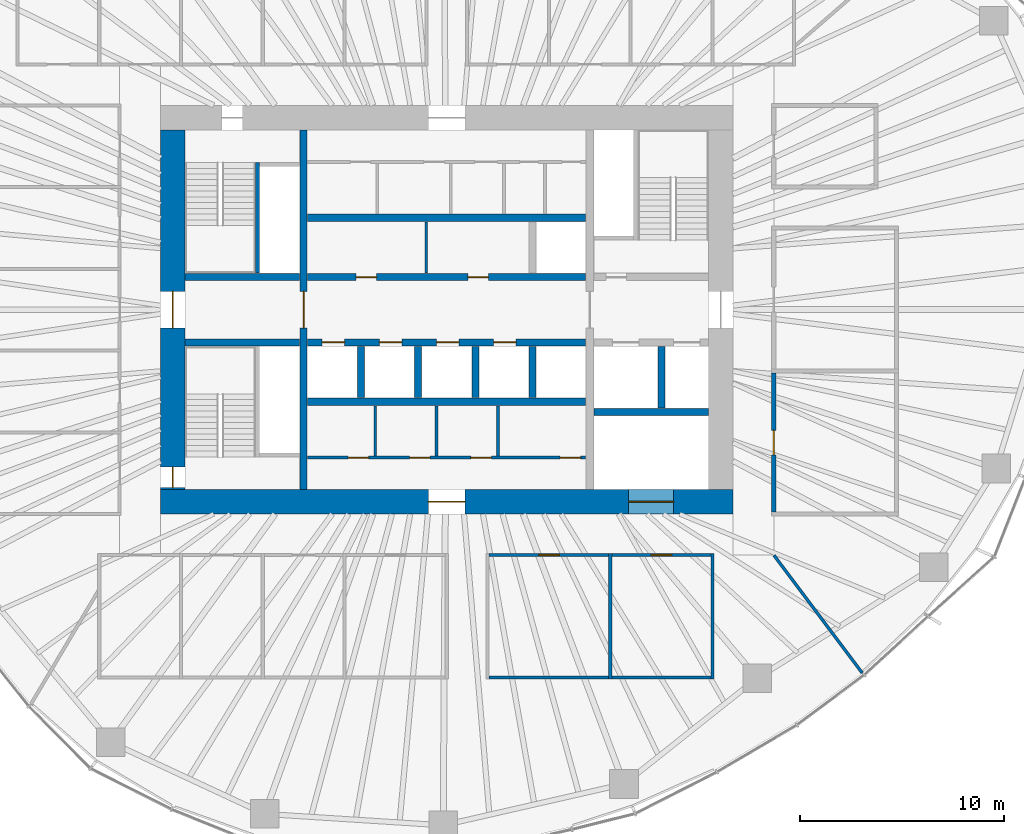
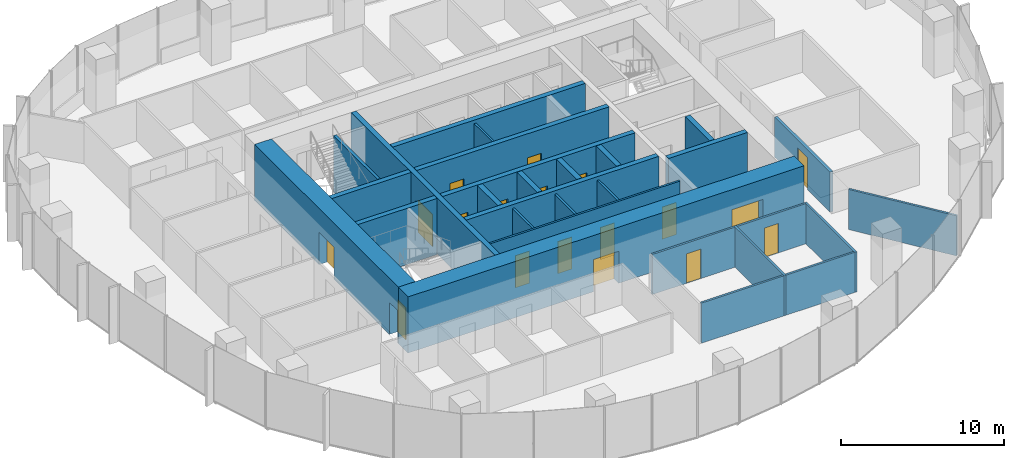
# One storey, part 9 of 18: 29 walls, 18 doors, 18 openings.
"""IFC4 building model written with IfcOpenShell, lengths in metres."""

import ifcopenshell
import ifcopenshell.guid

model = None  # the IFC model being written
_history = None  # IfcOwnerHistory: only IFC2X3 demands one
_inside = {}  # id of a spatial element -> (the spatial element, [elements in it])
_under = {}  # id of a project, library or spatial element -> (it, [spatial elements below it])
_declared = {}  # id of a project -> (the project, [libraries it declares])
_typed = {}  # id of a type object -> (the type object, [elements of that type])
_made_of = {}  # id of a material, layer set ... -> (it, [elements and type objects made of it])


def new_model(schema):
    """Start an empty IFC model of exactly this schema.

    Asked for "IFC4X3", IfcOpenShell would pick the latest addendum, in which some entities
    have other attributes; the version numbers below select the first issue.
    IFC2X3 requires an IfcOwnerHistory on every rooted entity: one is made here for all.
    """
    global model, _history
    if schema == "IFC4X3":
        model = ifcopenshell.file(schema_version=(4, 3, 0, 0))
    else:
        model = ifcopenshell.file(schema=schema)
    _inside.clear()
    _under.clear()
    _declared.clear()
    _typed.clear()
    _made_of.clear()
    _history = None
    if model.schema == "IFC2X3":
        org = make("IfcOrganization", Name="unknown")
        user = make(
            "IfcPersonAndOrganization",
            ThePerson=make("IfcPerson", FamilyName="unknown"),
            TheOrganization=org,
        )
        app = make(
            "IfcApplication",
            ApplicationDeveloper=org,
            Version="unknown",
            ApplicationFullName="unknown",
            ApplicationIdentifier="unknown",
        )
        _history = make(
            "IfcOwnerHistory",
            OwningUser=user,
            OwningApplication=app,
            ChangeAction="ADDED",
            CreationDate=0,
        )
    return model


def make(cls, **values):
    """One entity of the class cls with the attributes given. An attribute that is None is left unset."""
    return model.create_entity(
        cls, **{name: value for name, value in values.items() if value is not None}
    )


def rooted(cls, **values):
    """An entity with a GlobalId (a new one), such as an element, a storey or a relation."""
    return make(cls, GlobalId=ifcopenshell.guid.new(), OwnerHistory=_history, **values)


def si_unit(unit_type, name, prefix=None):
    """IfcSIUnit, for example si_unit("LENGTHUNIT", "METRE", prefix="MILLI")."""
    return make("IfcSIUnit", UnitType=unit_type, Prefix=prefix, Name=name)


def assignment(units):
    """IfcUnitAssignment: the units of a project."""
    return None if units is None else make("IfcUnitAssignment", Units=units)


def point(xyz):
    """IfcCartesianPoint."""
    return None if xyz is None else make("IfcCartesianPoint", Coordinates=xyz)


def direction(xyz):
    """IfcDirection."""
    return None if xyz is None else make("IfcDirection", DirectionRatios=xyz)


def frame(location, z_axis=None, x_axis=None):
    """IfcAxis2Placement3D, a coordinate frame: its origin and axes. An axis left out is left unset."""
    return make(
        "IfcAxis2Placement3D",
        Location=point(location),
        Axis=direction(z_axis),
        RefDirection=direction(x_axis),
    )


def frame_2d(location, x_axis=None):
    """IfcAxis2Placement2D, a coordinate frame in the plane: its origin and x axis."""
    return make(
        "IfcAxis2Placement2D", Location=point(location), RefDirection=direction(x_axis)
    )


def origin():
    """The frame at (0, 0, 0) with its axes left unset."""
    return frame((0.0, 0.0, 0.0))


def place(relative_to, where):
    """IfcLocalPlacement: puts the frame where relative to a parent placement (None: the world)."""
    return make(
        "IfcLocalPlacement", PlacementRelTo=relative_to, RelativePlacement=where
    )


def context(
    kind, dimensions, precision=None, world=None, true_north=None, identifier=None
):
    """IfcGeometricRepresentationContext, for example the 3D "Model" context."""
    return make(
        "IfcGeometricRepresentationContext",
        ContextIdentifier=identifier,
        ContextType=kind,
        CoordinateSpaceDimension=dimensions,
        Precision=precision,
        WorldCoordinateSystem=world,
        TrueNorth=true_north,
    )


def subcontext(parent, identifier, kind, view, scale=None):
    """IfcGeometricRepresentationSubContext, for example "Body" below "Model"."""
    return make(
        "IfcGeometricRepresentationSubContext",
        ContextIdentifier=identifier,
        ContextType=kind,
        ParentContext=parent,
        TargetScale=scale,
        TargetView=view,
    )


def project(units=None, contexts=None):
    """IfcProject with its units and contexts."""
    return rooted(
        "IfcProject",
        Name="project",
        RepresentationContexts=contexts,
        UnitsInContext=assignment(units),
    )


def spatial(cls, under=None, at=None, **own):
    """A site, building, storey or space (cls), placed at a placement, below another one or the project."""
    s = rooted(cls, ObjectPlacement=at, **own)
    if under is not None:
        _under.setdefault(under.id(), (under, []))[1].append(s)
    return s


def profile(cls, at=None, kind="AREA", **sizes):
    """A parametric profile (cls). Its sizes go by their IFC names, for example OverallWidth=200.0."""
    return make(cls, ProfileType=kind, Position=at, **sizes)


def rectangle(**sizes):
    """IfcRectangleProfileDef."""
    return profile("IfcRectangleProfileDef", **sizes)


def extrude(swept, where, along, depth):
    """IfcExtrudedAreaSolid: the profile swept, set in the frame where, extruded along a direction by depth."""
    return make(
        "IfcExtrudedAreaSolid",
        SweptArea=swept,
        Position=where,
        ExtrudedDirection=direction(along),
        Depth=depth,
    )


def shape(context_of_items, identifier, shape_type, items):
    """IfcShapeRepresentation: the items that make up one representation, for example the "Body"."""
    return make(
        "IfcShapeRepresentation",
        ContextOfItems=context_of_items,
        RepresentationIdentifier=identifier,
        RepresentationType=shape_type,
        Items=items,
    )


def material(Name=None, Category=None):
    """IfcMaterial."""
    return make("IfcMaterial", Name=Name, Category=Category)


def layer(
    of_material, thickness, ventilated=None, Name=None, Category=None, Priority=None
):
    """IfcMaterialLayer: one layer of a wall or slab, of a material (None: an air gap)."""
    return make(
        "IfcMaterialLayer",
        Material=of_material,
        LayerThickness=thickness,
        IsVentilated=ventilated,
        Name=Name,
        Category=Category,
        Priority=Priority,
    )


def layer_set(layers, Name=None):
    """IfcMaterialLayerSet."""
    return make("IfcMaterialLayerSet", MaterialLayers=layers, LayerSetName=Name)


def made_of(thing, what):
    """Note that an element or type object is made of a material, layer set ...; save() writes the relation."""
    if what is not None:
        _made_of.setdefault(what.id(), (what, []))[1].append(thing)
    return thing


def type_object(cls, material=None, **own):
    """A type object (cls), such as IfcWallType, which elements share."""
    return made_of(rooted(cls, **own), material)


def element(
    cls,
    number,
    at=None,
    inside=None,
    cuts=None,
    type_object=None,
    material=None,
    context=None,
    identifier="Body",
    shape_type=None,
    held_by="IfcProductDefinitionShape",
    body=None,
    shapes=None,
    **own,
):
    """One element of the class cls, such as IfcWall. Its Tag is "e" and its number.

    at: its placement. inside: the storey or other place that contains it. cuts: it is an
    opening in that element (IfcRelVoidsElement). A single representation is given by context,
    identifier, shape_type and body (its items); several are given by shapes. held_by: the class
    of the entity that holds the representations. save() writes the other relations.
    """
    e = rooted(cls, Tag="e%d" % number, ObjectPlacement=at, **own)
    if body is not None:
        shapes = [shape(context, identifier, shape_type, body)]
    if shapes is not None:
        e.Representation = make(held_by, Representations=shapes)
    if inside is not None:
        _inside.setdefault(inside.id(), (inside, []))[1].append(e)
    if cuts is not None:
        rooted(
            "IfcRelVoidsElement", RelatingBuildingElement=cuts, RelatedOpeningElement=e
        )
    if type_object is not None:
        _typed.setdefault(type_object.id(), (type_object, []))[1].append(e)
    return made_of(e, material)


def fill(opening, filler):
    """IfcRelFillsElement: the door or window that sits in an opening."""
    return rooted(
        "IfcRelFillsElement",
        RelatingOpeningElement=opening,
        RelatedBuildingElement=filler,
    )


def aggregate(whole, parts):
    """IfcRelAggregates: a whole, such as a stair, and the parts it consists of."""
    return rooted("IfcRelAggregates", RelatingObject=whole, RelatedObjects=parts)


def save(model, path):
    """Write the relations noted so far, then the file.

    IfcRelAggregates (storeys below a building ...), IfcRelContainedInSpatialStructure (elements
    in a storey), IfcRelDefinesByType, IfcRelAssociatesMaterial and IfcRelDeclares: one each for
    every whole, place, type object, material and project.
    """
    for whole, parts in _under.values():
        aggregate(whole, parts)
    for where, things in _inside.values():
        rooted(
            "IfcRelContainedInSpatialStructure",
            RelatedElements=things,
            RelatingStructure=where,
        )
    for kind, things in _typed.values():
        rooted("IfcRelDefinesByType", RelatedObjects=things, RelatingType=kind)
    for what, things in _made_of.values():
        rooted("IfcRelAssociatesMaterial", RelatedObjects=things, RelatingMaterial=what)
    for by, libraries in _declared.values():
        rooted("IfcRelDeclares", RelatingContext=by, RelatedDefinitions=libraries)
    model.write(path)


model = new_model("IFC4")

# Units and contexts
model_context = context("Model", 3, precision=1e-05, world=origin(), true_north=direction((0.0, 1.0)))
body_context = subcontext(model_context, "Body", "Model", "MODEL_VIEW")
ifc_project = project(units=[si_unit("LENGTHUNIT", "METRE"), si_unit("AREAUNIT", "SQUARE_METRE"), si_unit("VOLUMEUNIT", "CUBIC_METRE"), si_unit("PLANEANGLEUNIT", "RADIAN"), si_unit("MASSUNIT", "GRAM", prefix="KILO")], contexts=[model_context])

# Site, building, storey
site_placement = place(None, origin())
site = spatial("IfcSite", under=ifc_project, at=site_placement, CompositionType="ELEMENT")
building_placement = place(site_placement, origin())
building = spatial("IfcBuilding", under=site, at=building_placement, Name="Ghaith Harvest Tower", CompositionType="ELEMENT")
storey_placement = place(building_placement, frame((0.0, 0.0, 168.0)))
storey = spatial("IfcBuildingStorey", under=building, at=storey_placement, Name="L36", CompositionType="ELEMENT", Elevation=168.0)

# Wall, opening, door
ifc_material_1 = material(Name="Twin-stud gypsum board, acoustic", Category="gypsum")
ifc_layer_1 = layer(ifc_material_1, 0.199951171875)
ifc_layer_set_1 = layer_set([ifc_layer_1], Name="ACOUSTIC PARTITION 200")
wall_type_1 = type_object("IfcWallType", Name="ACOUSTIC PARTITION 200", PredefinedType="PARTITIONING", material=ifc_layer_set_1)
wall_1_placement = place(storey_placement, frame((16.0, -9.89990234375, 0.0), z_axis=(0.0, 0.0, 1.0), x_axis=(0.0, 1.0, 0.0)))
wall_1 = element("IfcWall", 1, at=wall_1_placement, inside=storey, type_object=wall_type_1, Name="Partition L36-10", PredefinedType="PARTITIONING", context=body_context, shape_type="SweptSolid", body=[
    extrude(rectangle(XDim=6.7998046875, YDim=0.199951171875, at=frame_2d((3.39990234375, 0.0))), origin(), (0.0, 0.0, 1.0), 3.0),
])
opening_1_placement = place(wall_1_placement, frame((2.800048828125, 0.0, 0.0)))
opening_1 = element("IfcOpeningElement", 2, at=opening_1_placement, cuts=wall_1, Name="Opening 36-037", PredefinedType="OPENING", context=body_context, shape_type="SweptSolid", body=[
    extrude(rectangle(XDim=1.199951171875, YDim=2.39990234375, at=frame_2d((0.60009765625, 1.199951171875))), frame((0.0, 0.10986328125, 0.0), z_axis=(0.0, -1.0, 0.0), x_axis=(1.0, 0.0, 0.0)), (0.0, 0.0, 1.0), 0.219970703125),
])
ifc_material_2 = material(Name="Timber door", Category="wood")
door_type_1 = type_object("IfcDoorType", Name="D11 GLAZED 1200x2400", OperationType="SINGLE_SWING_LEFT", PredefinedType="DOOR", material=ifc_material_2)
door_1_placement = place(opening_1_placement, origin())
door_1 = element("IfcDoor", 3, at=door_1_placement, inside=storey, type_object=door_type_1, Name="Meeting room door", OperationType="SINGLE_SWING_LEFT", OverallHeight=2.39990234375, OverallWidth=1.199951171875, PredefinedType="DOOR", context=body_context, shape_type="SweptSolid", body=[
    extrude(rectangle(XDim=1.199951171875, YDim=2.39990234375, at=frame_2d((0.60009765625, 1.199951171875))), frame((0.0, 0.02490234375, 0.0), z_axis=(0.0, -1.0, 0.0), x_axis=(1.0, 0.0, 0.0)), (0.0, 0.0, 1.0), 0.050048828125),
])
fill(opening_1, door_1)

# Wall, openings, doors
ifc_material_3 = material(Name="Concrete blockwork, fair-faced", Category="masonry")
ifc_layer_2 = layer(ifc_material_3, 0.139892578125)
ifc_layer_set_2 = layer_set([ifc_layer_2], Name="CORE PARTITION 140")
wall_type_2 = type_object("IfcWallType", Name="CORE PARTITION 140", PredefinedType="PARTITIONING", material=ifc_layer_set_2)
wall_2_placement = place(storey_placement, frame((-6.800048828125, -7.22998046875, 0.0), z_axis=(0.0, 0.0, 1.0), x_axis=(1.0, 0.0, 0.0)))
wall_2 = element("IfcWall", 4, at=wall_2_placement, inside=storey, type_object=wall_type_2, Name="Core partition L36", PredefinedType="PARTITIONING", context=body_context, shape_type="SweptSolid", body=[
    extrude(rectangle(XDim=13.60009765625, YDim=0.139892578125, at=frame_2d((6.800048828125, 0.0))), origin(), (0.0, 0.0, 1.0), 3.949951171875),
])
opening_2_placement = place(wall_2_placement, frame((1.97998046875, 0.0, 0.0)))
opening_2 = element("IfcOpeningElement", 5, at=opening_2_placement, cuts=wall_2, Name="Opening 36-013", PredefinedType="OPENING", context=body_context, shape_type="SweptSolid", body=[
    extrude(rectangle(XDim=1.0, YDim=2.39990234375, at=frame_2d((0.5, 1.199951171875))), frame((0.0, 0.080078125, 0.0), z_axis=(0.0, -1.0, 0.0), x_axis=(1.0, 0.0, 0.0)), (0.0, 0.0, 1.0), 0.159912109375),
])
opening_3_placement = place(wall_2_placement, frame((4.97998046875, 0.0, 0.0)))
opening_3 = element("IfcOpeningElement", 6, at=opening_3_placement, cuts=wall_2, Name="Opening 36-014", PredefinedType="OPENING", context=body_context, shape_type="SweptSolid", body=[
    extrude(rectangle(XDim=1.0, YDim=2.39990234375, at=frame_2d((0.5, 1.199951171875))), frame((0.0, 0.080078125, 0.0), z_axis=(0.0, -1.0, 0.0), x_axis=(1.0, 0.0, 0.0)), (0.0, 0.0, 1.0), 0.159912109375),
])
opening_4_placement = place(wall_2_placement, frame((7.97998046875, 0.0, 0.0)))
opening_4 = element("IfcOpeningElement", 7, at=opening_4_placement, cuts=wall_2, Name="Opening 36-015", PredefinedType="OPENING", context=body_context, shape_type="SweptSolid", body=[
    extrude(rectangle(XDim=1.0, YDim=2.39990234375, at=frame_2d((0.5, 1.199951171875))), frame((0.0, 0.080078125, 0.0), z_axis=(0.0, -1.0, 0.0), x_axis=(1.0, 0.0, 0.0)), (0.0, 0.0, 1.0), 0.159912109375),
])
opening_5_placement = place(wall_2_placement, frame((12.35009765625, 0.0, 0.0)))
opening_5 = element("IfcOpeningElement", 8, at=opening_5_placement, cuts=wall_2, Name="Opening 36-016", PredefinedType="OPENING", context=body_context, shape_type="SweptSolid", body=[
    extrude(rectangle(XDim=1.0, YDim=2.39990234375, at=frame_2d((0.5, 1.199951171875))), frame((0.0, 0.080078125, 0.0), z_axis=(0.0, -1.0, 0.0), x_axis=(1.0, 0.0, 0.0)), (0.0, 0.0, 1.0), 0.159912109375),
])
ifc_material_4 = material(Name="Steel fire door", Category="steel")
door_type_2 = type_object("IfcDoorType", Name="D3 FD90 1000x2400", OperationType="SINGLE_SWING_LEFT", PredefinedType="DOOR", material=ifc_material_4)
door_2_placement = place(opening_2_placement, origin())
door_2 = element("IfcDoor", 9, at=door_2_placement, inside=storey, type_object=door_type_2, Name="Electrical room door", OperationType="SINGLE_SWING_LEFT", OverallHeight=2.39990234375, OverallWidth=1.0, PredefinedType="DOOR", context=body_context, shape_type="SweptSolid", body=[
    extrude(rectangle(XDim=1.0, YDim=2.39990234375, at=frame_2d((0.5, 1.199951171875))), frame((0.0, 0.02490234375, 0.0), z_axis=(0.0, -1.0, 0.0), x_axis=(1.0, 0.0, 0.0)), (0.0, 0.0, 1.0), 0.050048828125),
])
fill(opening_2, door_2)
door_3_placement = place(opening_3_placement, origin())
door_3 = element("IfcDoor", 10, at=door_3_placement, inside=storey, type_object=door_type_2, Name="IT equipment room door", OperationType="SINGLE_SWING_LEFT", OverallHeight=2.39990234375, OverallWidth=1.0, PredefinedType="DOOR", context=body_context, shape_type="SweptSolid", body=[
    extrude(rectangle(XDim=1.0, YDim=2.39990234375, at=frame_2d((0.5, 1.199951171875))), frame((0.0, 0.02490234375, 0.0), z_axis=(0.0, -1.0, 0.0), x_axis=(1.0, 0.0, 0.0)), (0.0, 0.0, 1.0), 0.050048828125),
])
fill(opening_3, door_3)
door_4_placement = place(opening_4_placement, origin())
door_4 = element("IfcDoor", 11, at=door_4_placement, inside=storey, type_object=door_type_2, Name="Tea point door", OperationType="SINGLE_SWING_RIGHT", OverallHeight=2.39990234375, OverallWidth=1.0, PredefinedType="DOOR", context=body_context, shape_type="SweptSolid", body=[
    extrude(rectangle(XDim=1.0, YDim=2.39990234375, at=frame_2d((0.5, 1.199951171875))), frame((0.0, 0.02490234375, 0.0), z_axis=(0.0, -1.0, 0.0), x_axis=(1.0, 0.0, 0.0)), (0.0, 0.0, 1.0), 0.050048828125),
])
fill(opening_4, door_4)
door_5_placement = place(opening_5_placement, origin())
door_5 = element("IfcDoor", 12, at=door_5_placement, inside=storey, type_object=door_type_2, Name="Riser room door", OperationType="SINGLE_SWING_RIGHT", OverallHeight=2.39990234375, OverallWidth=1.0, PredefinedType="DOOR", context=body_context, shape_type="SweptSolid", body=[
    extrude(rectangle(XDim=1.0, YDim=2.39990234375, at=frame_2d((0.5, 1.199951171875))), frame((0.0, 0.02490234375, 0.0), z_axis=(0.0, -1.0, 0.0), x_axis=(1.0, 0.0, 0.0)), (0.0, 0.0, 1.0), 0.050048828125),
])
fill(opening_5, door_5)

# Walls
for number, where, z_axis, x_axis, name in (
    (13, (-3.5, -4.699951171875, 0.0), (0.0, 0.0, 1.0), (0.0, -1.0, 0.0), "Core partition L36"),
    (14, (-0.5, -4.699951171875, 0.0), (0.0, 0.0, 1.0), (0.0, -1.0, 0.0), "Core partition L36"),
    (15, (2.5, -4.699951171875, 0.0), (0.0, 0.0, 1.0), (0.0, -1.0, 0.0), "Core partition L36"),
):
    element("IfcWall", number, at=place(storey_placement, frame(where, z_axis=z_axis, x_axis=x_axis)), inside=storey, type_object=wall_type_2, Name=name, PredefinedType="PARTITIONING", context=body_context, shape_type="SweptSolid", body=[
        extrude(rectangle(XDim=2.4599609375, YDim=0.139892578125, at=frame_2d((1.22998046875, 0.0))), origin(), (0.0, 0.0, 1.0), 3.949951171875),
    ])
wall_3_placement = place(storey_placement, frame((-1.0, 1.800048828125, 0.0), z_axis=(0.0, 0.0, 1.0), x_axis=(0.0, 1.0, 0.0)))
element("IfcWall", 16, at=wall_3_placement, inside=storey, type_object=wall_type_2, Name="Core partition L36", PredefinedType="PARTITIONING", context=body_context, shape_type="SweptSolid", body=[
    extrude(rectangle(XDim=2.5, YDim=0.139892578125, at=frame_2d((1.25, 0.0))), origin(), (0.0, 0.0, 1.0), 3.949951171875),
])

# Wall, openings, doors
ifc_material_5 = material(Name="Concrete C60/75", Category="concrete")
ifc_layer_3 = layer(ifc_material_5, 1.199951171875)
ifc_layer_set_3 = layer_set([ifc_layer_3], Name="CORE WALL CW1200 C60")
wall_type_3 = type_object("IfcWallType", Name="CORE WALL CW1200 C60", PredefinedType="SHEAR", material=ifc_layer_set_3)
wall_4_placement = place(storey_placement, frame((-14.0, -9.39990234375, 0.0), z_axis=(0.0, 0.0, 1.0), x_axis=(1.0, 0.0, 0.0)))
wall_4 = element("IfcWall", 17, at=wall_4_placement, inside=storey, type_object=wall_type_3, Name="Core wall S L36", PredefinedType="SHEAR", context=body_context, shape_type="SweptSolid", body=[
    extrude(rectangle(XDim=28.0, YDim=1.199951171875, at=frame_2d((14.0, 0.0))), origin(), (0.0, 0.0, 1.0), 4.199951171875),
])
opening_6_placement = place(wall_4_placement, frame((13.10009765625, 0.0, 0.0)))
opening_6 = element("IfcOpeningElement", 18, at=opening_6_placement, cuts=wall_4, Name="Opening 36-020", PredefinedType="OPENING", context=body_context, shape_type="SweptSolid", body=[
    extrude(rectangle(XDim=1.800048828125, YDim=2.39990234375, at=frame_2d((0.89990234375, 1.199951171875))), frame((0.0, 0.60986328125, 0.0), z_axis=(0.0, -1.0, 0.0), x_axis=(1.0, 0.0, 0.0)), (0.0, 0.0, 1.0), 1.219970703125),
])
opening_7_placement = place(wall_4_placement, frame((22.89990234375, 0.0, 0.0)))
opening_7 = element("IfcOpeningElement", 19, at=opening_7_placement, cuts=wall_4, Name="Opening 36-027", PredefinedType="OPENING", context=body_context, shape_type="SweptSolid", body=[
    extrude(rectangle(XDim=2.199951171875, YDim=2.699951171875, at=frame_2d((1.10009765625, 1.35009765625))), frame((0.0, 0.60986328125, 0.0), z_axis=(0.0, -1.0, 0.0), x_axis=(1.0, 0.0, 0.0)), (0.0, 0.0, 1.0), 1.219970703125),
])
ifc_material_6 = material(Name="Steel fire door", Category="steel")
door_type_3 = type_object("IfcDoorType", Name="D4 FD90 PAIR 1800x2400", OperationType="DOUBLE_DOOR_SINGLE_SWING", PredefinedType="DOOR", material=ifc_material_6)
door_6_placement = place(opening_6_placement, origin())
door_6 = element("IfcDoor", 20, at=door_6_placement, inside=storey, type_object=door_type_3, Name="Core service corridor doors", OperationType="DOUBLE_DOOR_SINGLE_SWING", OverallHeight=2.39990234375, OverallWidth=1.800048828125, PredefinedType="DOOR", context=body_context, shape_type="SweptSolid", body=[
    extrude(rectangle(XDim=1.800048828125, YDim=2.39990234375, at=frame_2d((0.89990234375, 1.199951171875))), frame((0.0, 0.02490234375, 0.0), z_axis=(0.0, -1.0, 0.0), x_axis=(1.0, 0.0, 0.0)), (0.0, 0.0, 1.0), 0.050048828125),
])
fill(opening_6, door_6)
ifc_material_7 = material(Name="Steel fire door", Category="steel")
door_type_4 = type_object("IfcDoorType", Name="LD3 LANDING 2200x2700", OperationType="DOUBLE_DOOR_SLIDING", PredefinedType="DOOR", material=ifc_material_7)
door_7_placement = place(opening_7_placement, origin())
door_7 = element("IfcDoor", 21, at=door_7_placement, inside=storey, type_object=door_type_4, Name="Landing door, goods lift GL1", OperationType="DOUBLE_DOOR_SLIDING", OverallHeight=2.699951171875, OverallWidth=2.199951171875, PredefinedType="DOOR", context=body_context, shape_type="SweptSolid", body=[
    extrude(rectangle(XDim=2.199951171875, YDim=2.699951171875, at=frame_2d((1.10009765625, 1.35009765625))), frame((0.0, 0.02490234375, 0.0), z_axis=(0.0, -1.0, 0.0), x_axis=(1.0, 0.0, 0.0)), (0.0, 0.0, 1.0), 0.050048828125),
])
fill(opening_7, door_7)

wall_5_placement = place(storey_placement, frame((-13.39990234375, 8.800048828125, 0.0), z_axis=(0.0, 0.0, 1.0), x_axis=(0.0, -1.0, 0.0)))
wall_5 = element("IfcWall", 22, at=wall_5_placement, inside=storey, type_object=wall_type_3, Name="Core wall W L36", PredefinedType="SHEAR", context=body_context, shape_type="SweptSolid", body=[
    extrude(rectangle(XDim=17.60009765625, YDim=1.199951171875, at=frame_2d((8.800048828125, 0.0))), origin(), (0.0, 0.0, 1.0), 4.199951171875),
])
opening_8_placement = place(wall_5_placement, frame((7.89990234375, 0.0, 0.0)))
opening_8 = element("IfcOpeningElement", 23, at=opening_8_placement, cuts=wall_5, Name="Opening 36-001", PredefinedType="OPENING", context=body_context, shape_type="SweptSolid", body=[
    extrude(rectangle(XDim=1.800048828125, YDim=2.39990234375, at=frame_2d((0.89990234375, 1.199951171875))), frame((0.0, 0.60986328125, 0.0), z_axis=(0.0, -1.0, 0.0), x_axis=(1.0, 0.0, 0.0)), (0.0, 0.0, 1.0), 1.219970703125),
])
opening_9_placement = place(wall_5_placement, frame((16.5, 0.0, 0.0)))
opening_9 = element("IfcOpeningElement", 24, at=opening_9_placement, cuts=wall_5, Name="Opening 36-006", PredefinedType="OPENING", context=body_context, shape_type="SweptSolid", body=[
    extrude(rectangle(XDim=1.0, YDim=2.39990234375, at=frame_2d((0.5, 1.199951171875))), frame((0.0, 0.60986328125, 0.0), z_axis=(0.0, -1.0, 0.0), x_axis=(1.0, 0.0, 0.0)), (0.0, 0.0, 1.0), 1.219970703125),
])
door_8_placement = place(opening_9_placement, origin())
door_8 = element("IfcDoor", 25, at=door_8_placement, inside=storey, type_object=door_type_2, Name="Stair ST3 door", OperationType="SINGLE_SWING_RIGHT", OverallHeight=2.39990234375, OverallWidth=1.0, PredefinedType="DOOR", context=body_context, shape_type="SweptSolid", body=[
    extrude(rectangle(XDim=1.0, YDim=2.39990234375, at=frame_2d((0.5, 1.199951171875))), frame((0.0, 0.02490234375, 0.0), z_axis=(0.0, -1.0, 0.0), x_axis=(1.0, 0.0, 0.0)), (0.0, 0.0, 1.0), 0.050048828125),
])
fill(opening_9, door_8)
door_9_placement = place(opening_8_placement, origin())
door_9 = element("IfcDoor", 26, at=door_9_placement, inside=storey, type_object=door_type_3, Name="West lobby doors", OperationType="DOUBLE_DOOR_SINGLE_SWING", OverallHeight=2.39990234375, OverallWidth=1.800048828125, PredefinedType="DOOR", context=body_context, shape_type="SweptSolid", body=[
    extrude(rectangle(XDim=1.800048828125, YDim=2.39990234375, at=frame_2d((0.89990234375, 1.199951171875))), frame((0.0, 0.02490234375, 0.0), z_axis=(0.0, -1.0, 0.0), x_axis=(1.0, 0.0, 0.0)), (0.0, 0.0, 1.0), 0.050048828125),
])
fill(opening_8, door_9)

# Walls
ifc_material_8 = material(Name="Gypsum board on steel studs", Category="steel")
ifc_layer_4 = layer(ifc_material_8, 0.14990234375)
ifc_layer_set_4 = layer_set([ifc_layer_4], Name="PARTITION 150")
wall_type_4 = type_object("IfcWallType", Name="PARTITION 150", PredefinedType="PARTITIONING", material=ifc_layer_set_4)
for number, where, z_axis, x_axis, name in (
    (27, (8.0, -11.925048828125, 0.0), (0.0, 0.0, 1.0), (0.0, -1.0, 0.0), "Partition L36 row S5 cross wall 2"),
    (28, (13.0, -11.925048828125, 0.0), (0.0, 0.0, 1.0), (0.0, -1.0, 0.0), "Partition L36 row S5 cross wall 3"),
):
    element("IfcWall", number, at=place(storey_placement, frame(where, z_axis=z_axis, x_axis=x_axis)), inside=storey, type_object=wall_type_4, Name=name, PredefinedType="PARTITIONING", context=body_context, shape_type="SweptSolid", body=[
        extrude(rectangle(XDim=6.14990234375, YDim=0.14990234375, at=frame_2d((3.074951171875, 0.0))), origin(), (0.0, 0.0, 1.0), 3.0),
    ])

# Wall, opening, door
wall_6_placement = place(storey_placement, frame((2.074951171875, -12.0, 0.0), z_axis=(0.0, 0.0, 1.0), x_axis=(1.0, 0.0, 0.0)))
wall_6 = element("IfcWall", 29, at=wall_6_placement, inside=storey, type_object=wall_type_4, Name="Partition L36-16", PredefinedType="PARTITIONING", context=body_context, shape_type="SweptSolid", body=[
    extrude(rectangle(XDim=5.85009765625, YDim=0.14990234375, at=frame_2d((2.925048828125, 0.0))), origin(), (0.0, 0.0, 1.0), 3.0),
])
opening_10_placement = place(wall_6_placement, frame((2.425048828125, 0.0, 0.0)))
opening_10 = element("IfcOpeningElement", 30, at=opening_10_placement, cuts=wall_6, Name="Opening 36-043", PredefinedType="OPENING", context=body_context, shape_type="SweptSolid", body=[
    extrude(rectangle(XDim=1.0, YDim=2.199951171875, at=frame_2d((0.5, 1.10009765625))), frame((0.0, 0.0849609375, 0.0), z_axis=(0.0, -1.0, 0.0), x_axis=(1.0, 0.0, 0.0)), (0.0, 0.0, 1.0), 0.169921875),
])
ifc_material_9 = material(Name="Timber door", Category="wood")
door_type_5 = type_object("IfcDoorType", Name="D1 SINGLE 1000x2200", OperationType="SINGLE_SWING_LEFT", PredefinedType="DOOR", material=ifc_material_9)
door_10_placement = place(opening_10_placement, origin())
door_10 = element("IfcDoor", 31, at=door_10_placement, inside=storey, type_object=door_type_5, Name="Pantry door", OperationType="SINGLE_SWING_LEFT", OverallHeight=2.199951171875, OverallWidth=1.0, PredefinedType="DOOR", context=body_context, shape_type="SweptSolid", body=[
    extrude(rectangle(XDim=1.0, YDim=2.199951171875, at=frame_2d((0.5, 1.10009765625))), frame((0.0, 0.02490234375, 0.0), z_axis=(0.0, -1.0, 0.0), x_axis=(1.0, 0.0, 0.0)), (0.0, 0.0, 1.0), 0.050048828125),
])
fill(opening_10, door_10)

# Wall
wall_7_placement = place(storey_placement, frame((2.074951171875, -18.0, 0.0), z_axis=(0.0, 0.0, 1.0), x_axis=(1.0, 0.0, 0.0)))
element("IfcWall", 32, at=wall_7_placement, inside=storey, type_object=wall_type_4, Name="Partition L36-16", PredefinedType="PARTITIONING", context=body_context, shape_type="SweptSolid", body=[
    extrude(rectangle(XDim=5.85009765625, YDim=0.14990234375, at=frame_2d((2.925048828125, 0.0))), origin(), (0.0, 0.0, 1.0), 3.0),
])

# Wall, opening, door
wall_8_placement = place(storey_placement, frame((8.074951171875, -12.0, 0.0), z_axis=(0.0, 0.0, 1.0), x_axis=(1.0, 0.0, 0.0)))
wall_8 = element("IfcWall", 33, at=wall_8_placement, inside=storey, type_object=wall_type_4, Name="Partition L36-17", PredefinedType="PARTITIONING", context=body_context, shape_type="SweptSolid", body=[
    extrude(rectangle(XDim=4.85009765625, YDim=0.14990234375, at=frame_2d((2.425048828125, 0.0))), origin(), (0.0, 0.0, 1.0), 3.0),
])
opening_11_placement = place(wall_8_placement, frame((1.925048828125, 0.0, 0.0)))
opening_11 = element("IfcOpeningElement", 34, at=opening_11_placement, cuts=wall_8, Name="Opening 36-044", PredefinedType="OPENING", context=body_context, shape_type="SweptSolid", body=[
    extrude(rectangle(XDim=1.0, YDim=2.199951171875, at=frame_2d((0.5, 1.10009765625))), frame((0.0, 0.0849609375, 0.0), z_axis=(0.0, -1.0, 0.0), x_axis=(1.0, 0.0, 0.0)), (0.0, 0.0, 1.0), 0.169921875),
])
door_11_placement = place(opening_11_placement, origin())
door_11 = element("IfcDoor", 35, at=door_11_placement, inside=storey, type_object=door_type_5, Name="Store door", OperationType="SINGLE_SWING_LEFT", OverallHeight=2.199951171875, OverallWidth=1.0, PredefinedType="DOOR", context=body_context, shape_type="SweptSolid", body=[
    extrude(rectangle(XDim=1.0, YDim=2.199951171875, at=frame_2d((0.5, 1.10009765625))), frame((0.0, 0.02490234375, 0.0), z_axis=(0.0, -1.0, 0.0), x_axis=(1.0, 0.0, 0.0)), (0.0, 0.0, 1.0), 0.050048828125),
])
fill(opening_11, door_11)

# Walls
wall_9_placement = place(storey_placement, frame((8.074951171875, -18.0, 0.0), z_axis=(0.0, 0.0, 1.0), x_axis=(1.0, 0.0, 0.0)))
element("IfcWall", 36, at=wall_9_placement, inside=storey, type_object=wall_type_4, Name="Partition L36-17", PredefinedType="PARTITIONING", context=body_context, shape_type="SweptSolid", body=[
    extrude(rectangle(XDim=4.85009765625, YDim=0.14990234375, at=frame_2d((2.425048828125, 0.0))), origin(), (0.0, 0.0, 1.0), 3.0),
])
wall_10_placement = place(storey_placement, frame((16.011962890625, -12.01611328125, 0.0), z_axis=(0.0, 0.0, 1.0), x_axis=(0.600059749679, -0.799955184254, 0.0)))
element("IfcWall", 37, at=wall_10_placement, inside=storey, type_object=wall_type_4, Name="Partition L36 zone division", PredefinedType="PARTITIONING", context=body_context, shape_type="SweptSolid", body=[
    extrude(rectangle(XDim=7.191162109375, YDim=0.14990234375, at=frame_2d((3.595703125, 0.0))), origin(), (0.0, 0.0, 1.0), 3.0),
])

# Wall, opening, door
ifc_material_10 = material(Name="Concrete C60/75", Category="concrete")
ifc_layer_5 = layer(ifc_material_10, 0.35009765625)
ifc_layer_set_5 = layer_set([ifc_layer_5], Name="SHAFT WALL 350")
wall_type_5 = type_object("IfcWallType", Name="SHAFT WALL 350", PredefinedType="SHEAR", material=ifc_layer_set_5)
wall_11_placement = place(storey_placement, frame((-7.0, -8.800048828125, 0.0), z_axis=(0.0, 0.0, 1.0), x_axis=(0.0, 1.0, 0.0)))
wall_11 = element("IfcWall", 38, at=wall_11_placement, inside=storey, type_object=wall_type_5, Name="Shaft wall W7W L36", PredefinedType="SHEAR", context=body_context, shape_type="SweptSolid", body=[
    extrude(rectangle(XDim=17.60009765625, YDim=0.35009765625, at=frame_2d((8.800048828125, 0.0))), origin(), (0.0, 0.0, 1.0), 4.199951171875),
])
opening_12_placement = place(wall_11_placement, frame((7.89990234375, 0.0, 0.0)))
opening_12 = element("IfcOpeningElement", 39, at=opening_12_placement, cuts=wall_11, Name="Opening 36-003", PredefinedType="OPENING", context=body_context, shape_type="SweptSolid", body=[
    extrude(rectangle(XDim=1.800048828125, YDim=2.39990234375, at=frame_2d((0.89990234375, 1.199951171875))), frame((0.0, 0.18505859375, 0.0), z_axis=(0.0, -1.0, 0.0), x_axis=(1.0, 0.0, 0.0)), (0.0, 0.0, 1.0), 0.3701171875),
])
door_12_placement = place(opening_12_placement, origin())
door_12 = element("IfcDoor", 40, at=door_12_placement, inside=storey, type_object=door_type_3, Name="Lift lobby doors, west", OperationType="DOUBLE_DOOR_SINGLE_SWING", OverallHeight=2.39990234375, OverallWidth=1.800048828125, PredefinedType="DOOR", context=body_context, shape_type="SweptSolid", body=[
    extrude(rectangle(XDim=1.800048828125, YDim=2.39990234375, at=frame_2d((0.89990234375, 1.199951171875))), frame((0.0, 0.02490234375, 0.0), z_axis=(0.0, -1.0, 0.0), x_axis=(1.0, 0.0, 0.0)), (0.0, 0.0, 1.0), 0.050048828125),
])
fill(opening_12, door_12)

# Wall, openings, doors
wall_12_placement = place(storey_placement, frame((-6.800048828125, 1.60009765625, 0.0), z_axis=(0.0, 0.0, 1.0), x_axis=(1.0, 0.0, 0.0)))
wall_12 = element("IfcWall", 41, at=wall_12_placement, inside=storey, type_object=wall_type_5, Name="Shaft wall LN L36", PredefinedType="SHEAR", context=body_context, shape_type="SweptSolid", body=[
    extrude(rectangle(XDim=13.60009765625, YDim=0.35009765625, at=frame_2d((6.800048828125, 0.0))), origin(), (0.0, 0.0, 1.0), 4.199951171875),
])
opening_13_placement = place(wall_12_placement, frame((2.364990234375, 0.0, 0.0)))
opening_13 = element("IfcOpeningElement", 42, at=opening_13_placement, cuts=wall_12, Name="Opening 36-017", PredefinedType="OPENING", context=body_context, shape_type="SweptSolid", body=[
    extrude(rectangle(XDim=1.0, YDim=2.39990234375, at=frame_2d((0.5, 1.199951171875))), frame((0.0, 0.18505859375, 0.0), z_axis=(0.0, -1.0, 0.0), x_axis=(1.0, 0.0, 0.0)), (0.0, 0.0, 1.0), 0.3701171875),
])
opening_14_placement = place(wall_12_placement, frame((7.8349609375, 0.0, 0.0)))
opening_14 = element("IfcOpeningElement", 43, at=opening_14_placement, cuts=wall_12, Name="Opening 36-018", PredefinedType="OPENING", context=body_context, shape_type="SweptSolid", body=[
    extrude(rectangle(XDim=1.0, YDim=2.39990234375, at=frame_2d((0.5, 1.199951171875))), frame((0.0, 0.18505859375, 0.0), z_axis=(0.0, -1.0, 0.0), x_axis=(1.0, 0.0, 0.0)), (0.0, 0.0, 1.0), 0.3701171875),
])
door_13_placement = place(opening_13_placement, origin())
door_13 = element("IfcDoor", 44, at=door_13_placement, inside=storey, type_object=door_type_2, Name="Security room door", OperationType="SINGLE_SWING_LEFT", OverallHeight=2.39990234375, OverallWidth=1.0, PredefinedType="DOOR", context=body_context, shape_type="SweptSolid", body=[
    extrude(rectangle(XDim=1.0, YDim=2.39990234375, at=frame_2d((0.5, 1.199951171875))), frame((0.0, 0.02490234375, 0.0), z_axis=(0.0, -1.0, 0.0), x_axis=(1.0, 0.0, 0.0)), (0.0, 0.0, 1.0), 0.050048828125),
])
fill(opening_13, door_13)
door_14_placement = place(opening_14_placement, origin())
door_14 = element("IfcDoor", 45, at=door_14_placement, inside=storey, type_object=door_type_2, Name="IT equipment room door", OperationType="SINGLE_SWING_RIGHT", OverallHeight=2.39990234375, OverallWidth=1.0, PredefinedType="DOOR", context=body_context, shape_type="SweptSolid", body=[
    extrude(rectangle(XDim=1.0, YDim=2.39990234375, at=frame_2d((0.5, 1.199951171875))), frame((0.0, 0.02490234375, 0.0), z_axis=(0.0, -1.0, 0.0), x_axis=(1.0, 0.0, 0.0)), (0.0, 0.0, 1.0), 0.050048828125),
])
fill(opening_14, door_14)

wall_13_placement = place(storey_placement, frame((-6.800048828125, -1.60009765625, 0.0), z_axis=(0.0, 0.0, 1.0), x_axis=(1.0, 0.0, 0.0)))
wall_13 = element("IfcWall", 46, at=wall_13_placement, inside=storey, type_object=wall_type_5, Name="Shaft wall LS L36", PredefinedType="SHEAR", context=body_context, shape_type="SweptSolid", body=[
    extrude(rectangle(XDim=13.60009765625, YDim=0.35009765625, at=frame_2d((6.800048828125, 0.0))), origin(), (0.0, 0.0, 1.0), 4.199951171875),
])
opening_15_placement = place(wall_13_placement, frame((0.699951171875, 0.0, 0.0)))
opening_15 = element("IfcOpeningElement", 47, at=opening_15_placement, cuts=wall_13, Name="Opening 36-021", PredefinedType="OPENING", context=body_context, shape_type="SweptSolid", body=[
    extrude(rectangle(XDim=1.10009765625, YDim=2.39990234375, at=frame_2d((0.550048828125, 1.199951171875))), frame((0.0, 0.18505859375, 0.0), z_axis=(0.0, -1.0, 0.0), x_axis=(1.0, 0.0, 0.0)), (0.0, 0.0, 1.0), 0.3701171875),
])
opening_16_placement = place(wall_13_placement, frame((3.5, 0.0, 0.0)))
opening_16 = element("IfcOpeningElement", 48, at=opening_16_placement, cuts=wall_13, Name="Opening 36-022", PredefinedType="OPENING", context=body_context, shape_type="SweptSolid", body=[
    extrude(rectangle(XDim=1.10009765625, YDim=2.39990234375, at=frame_2d((0.550048828125, 1.199951171875))), frame((0.0, 0.18505859375, 0.0), z_axis=(0.0, -1.0, 0.0), x_axis=(1.0, 0.0, 0.0)), (0.0, 0.0, 1.0), 0.3701171875),
])
opening_17_placement = place(wall_13_placement, frame((6.300048828125, 0.0, 0.0)))
opening_17 = element("IfcOpeningElement", 49, at=opening_17_placement, cuts=wall_13, Name="Opening 36-023", PredefinedType="OPENING", context=body_context, shape_type="SweptSolid", body=[
    extrude(rectangle(XDim=1.10009765625, YDim=2.39990234375, at=frame_2d((0.550048828125, 1.199951171875))), frame((0.0, 0.18505859375, 0.0), z_axis=(0.0, -1.0, 0.0), x_axis=(1.0, 0.0, 0.0)), (0.0, 0.0, 1.0), 0.3701171875),
])
opening_18_placement = place(wall_13_placement, frame((9.10009765625, 0.0, 0.0)))
opening_18 = element("IfcOpeningElement", 50, at=opening_18_placement, cuts=wall_13, Name="Opening 36-024", PredefinedType="OPENING", context=body_context, shape_type="SweptSolid", body=[
    extrude(rectangle(XDim=1.10009765625, YDim=2.39990234375, at=frame_2d((0.550048828125, 1.199951171875))), frame((0.0, 0.18505859375, 0.0), z_axis=(0.0, -1.0, 0.0), x_axis=(1.0, 0.0, 0.0)), (0.0, 0.0, 1.0), 0.3701171875),
])
ifc_material_11 = material(Name="Steel fire door", Category="steel")
door_type_6 = type_object("IfcDoorType", Name="LD1 LANDING 1100x2400", OperationType="DOUBLE_DOOR_SLIDING", PredefinedType="DOOR", material=ifc_material_11)
door_15_placement = place(opening_15_placement, origin())
door_15 = element("IfcDoor", 51, at=door_15_placement, inside=storey, type_object=door_type_6, Name="Landing door, lift LR1", OperationType="DOUBLE_DOOR_SLIDING", OverallHeight=2.39990234375, OverallWidth=1.10009765625, PredefinedType="DOOR", context=body_context, shape_type="SweptSolid", body=[
    extrude(rectangle(XDim=1.10009765625, YDim=2.39990234375, at=frame_2d((0.550048828125, 1.199951171875))), frame((0.0, 0.02490234375, 0.0), z_axis=(0.0, -1.0, 0.0), x_axis=(1.0, 0.0, 0.0)), (0.0, 0.0, 1.0), 0.050048828125),
])
fill(opening_15, door_15)
door_16_placement = place(opening_16_placement, origin())
door_16 = element("IfcDoor", 52, at=door_16_placement, inside=storey, type_object=door_type_6, Name="Landing door, lift LR2", OperationType="DOUBLE_DOOR_SLIDING", OverallHeight=2.39990234375, OverallWidth=1.10009765625, PredefinedType="DOOR", context=body_context, shape_type="SweptSolid", body=[
    extrude(rectangle(XDim=1.10009765625, YDim=2.39990234375, at=frame_2d((0.550048828125, 1.199951171875))), frame((0.0, 0.02490234375, 0.0), z_axis=(0.0, -1.0, 0.0), x_axis=(1.0, 0.0, 0.0)), (0.0, 0.0, 1.0), 0.050048828125),
])
fill(opening_16, door_16)
door_17_placement = place(opening_17_placement, origin())
door_17 = element("IfcDoor", 53, at=door_17_placement, inside=storey, type_object=door_type_6, Name="Landing door, lift LR3", OperationType="DOUBLE_DOOR_SLIDING", OverallHeight=2.39990234375, OverallWidth=1.10009765625, PredefinedType="DOOR", context=body_context, shape_type="SweptSolid", body=[
    extrude(rectangle(XDim=1.10009765625, YDim=2.39990234375, at=frame_2d((0.550048828125, 1.199951171875))), frame((0.0, 0.02490234375, 0.0), z_axis=(0.0, -1.0, 0.0), x_axis=(1.0, 0.0, 0.0)), (0.0, 0.0, 1.0), 0.050048828125),
])
fill(opening_17, door_17)
door_18_placement = place(opening_18_placement, origin())
door_18 = element("IfcDoor", 54, at=door_18_placement, inside=storey, type_object=door_type_6, Name="Landing door, lift LR4", OperationType="DOUBLE_DOOR_SLIDING", OverallHeight=2.39990234375, OverallWidth=1.10009765625, PredefinedType="DOOR", context=body_context, shape_type="SweptSolid", body=[
    extrude(rectangle(XDim=1.10009765625, YDim=2.39990234375, at=frame_2d((0.550048828125, 1.199951171875))), frame((0.0, 0.02490234375, 0.0), z_axis=(0.0, -1.0, 0.0), x_axis=(1.0, 0.0, 0.0)), (0.0, 0.0, 1.0), 0.050048828125),
])
fill(opening_18, door_18)

# Walls
for number, where, z_axis, x_axis, name in (
    (55, (-6.800048828125, 4.5, 0.0), (0.0, 0.0, 1.0), (1.0, 0.0, 0.0), "Shaft wall BN L36"),
    (56, (-6.800048828125, -4.5, 0.0), (0.0, 0.0, 1.0), (1.0, 0.0, 0.0), "Shaft wall BS L36"),
):
    element("IfcWall", number, at=place(storey_placement, frame(where, z_axis=z_axis, x_axis=x_axis)), inside=storey, type_object=wall_type_5, Name=name, PredefinedType="SHEAR", context=body_context, shape_type="SweptSolid", body=[
        extrude(rectangle(XDim=13.60009765625, YDim=0.35009765625, at=frame_2d((6.800048828125, 0.0))), origin(), (0.0, 0.0, 1.0), 4.199951171875),
    ])
for number, where, z_axis, x_axis, name in (
    (57, (-12.800048828125, 1.60009765625, 0.0), (0.0, 0.0, 1.0), (1.0, 0.0, 0.0), "Shaft wall WN L36"),
    (58, (-12.800048828125, -1.60009765625, 0.0), (0.0, 0.0, 1.0), (1.0, 0.0, 0.0), "Shaft wall WS L36"),
):
    element("IfcWall", number, at=place(storey_placement, frame(where, z_axis=z_axis, x_axis=x_axis)), inside=storey, type_object=wall_type_5, Name=name, PredefinedType="SHEAR", context=body_context, shape_type="SweptSolid", body=[
        extrude(rectangle(XDim=5.60009765625, YDim=0.35009765625, at=frame_2d((2.800048828125, 0.0))), origin(), (0.0, 0.0, 1.0), 4.199951171875),
    ])
wall_14_placement = place(storey_placement, frame((10.5, -4.800048828125, 0.0), z_axis=(0.0, 0.0, 1.0), x_axis=(0.0, 1.0, 0.0)))
element("IfcWall", 59, at=wall_14_placement, inside=storey, type_object=wall_type_5, Name="Shaft wall FLD L36", PredefinedType="SHEAR", context=body_context, shape_type="SweptSolid", body=[
    extrude(rectangle(XDim=3.0, YDim=0.35009765625, at=frame_2d((1.5, 0.0))), origin(), (0.0, 0.0, 1.0), 4.199951171875),
])
wall_15_placement = place(storey_placement, frame((7.199951171875, -5.0, 0.0), z_axis=(0.0, 0.0, 1.0), x_axis=(1.0, 0.0, 0.0)))
element("IfcWall", 60, at=wall_15_placement, inside=storey, type_object=wall_type_5, Name="Shaft wall FLB L36", PredefinedType="SHEAR", context=body_context, shape_type="SweptSolid", body=[
    extrude(rectangle(XDim=5.60009765625, YDim=0.35009765625, at=frame_2d((2.800048828125, 0.0))), origin(), (0.0, 0.0, 1.0), 4.199951171875),
])
for number, where, z_axis, x_axis, name in (
    (61, (-4.199951171875, -4.300048828125, 0.0), (0.0, 0.0, 1.0), (0.0, 1.0, 0.0), "Shaft wall DS1 L36"),
    (62, (-1.39990234375, -4.300048828125, 0.0), (0.0, 0.0, 1.0), (0.0, 1.0, 0.0), "Shaft wall DS2 L36"),
    (63, (1.39990234375, -4.300048828125, 0.0), (0.0, 0.0, 1.0), (0.0, 1.0, 0.0), "Shaft wall DS3 L36"),
    (64, (4.199951171875, -4.300048828125, 0.0), (0.0, 0.0, 1.0), (0.0, 1.0, 0.0), "Shaft wall DS4 L36"),
):
    element("IfcWall", number, at=place(storey_placement, frame(where, z_axis=z_axis, x_axis=x_axis)), inside=storey, type_object=wall_type_5, Name=name, PredefinedType="SHEAR", context=body_context, shape_type="SweptSolid", body=[
        extrude(rectangle(XDim=2.5, YDim=0.35009765625, at=frame_2d((1.25, 0.0))), origin(), (0.0, 0.0, 1.0), 4.199951171875),
    ])
ifc_material_12 = material(Name="Concrete C40/50", Category="concrete")
ifc_layer_6 = layer(ifc_material_12, 0.199951171875)
ifc_layer_set_6 = layer_set([ifc_layer_6], Name="STAIR SPINE WALL RC200")
wall_type_6 = type_object("IfcWallType", Name="STAIR SPINE WALL RC200", PredefinedType="SOLIDWALL", material=ifc_layer_set_6)
wall_16_placement = place(storey_placement, frame((-9.25, 7.199951171875, 0.0), z_axis=(0.0, 0.0, 1.0), x_axis=(0.0, -1.0, 0.0)))
element("IfcWall", 65, at=wall_16_placement, inside=storey, type_object=wall_type_6, Name="Stair ST1 spine wall L36", PredefinedType="SOLIDWALL", context=body_context, shape_type="SweptSolid", body=[
    extrude(rectangle(XDim=5.39990234375, YDim=0.199951171875, at=frame_2d((2.699951171875, 0.0))), origin(), (0.0, 0.0, 1.0), 4.199951171875),
])

save(model, "model.ifc")
